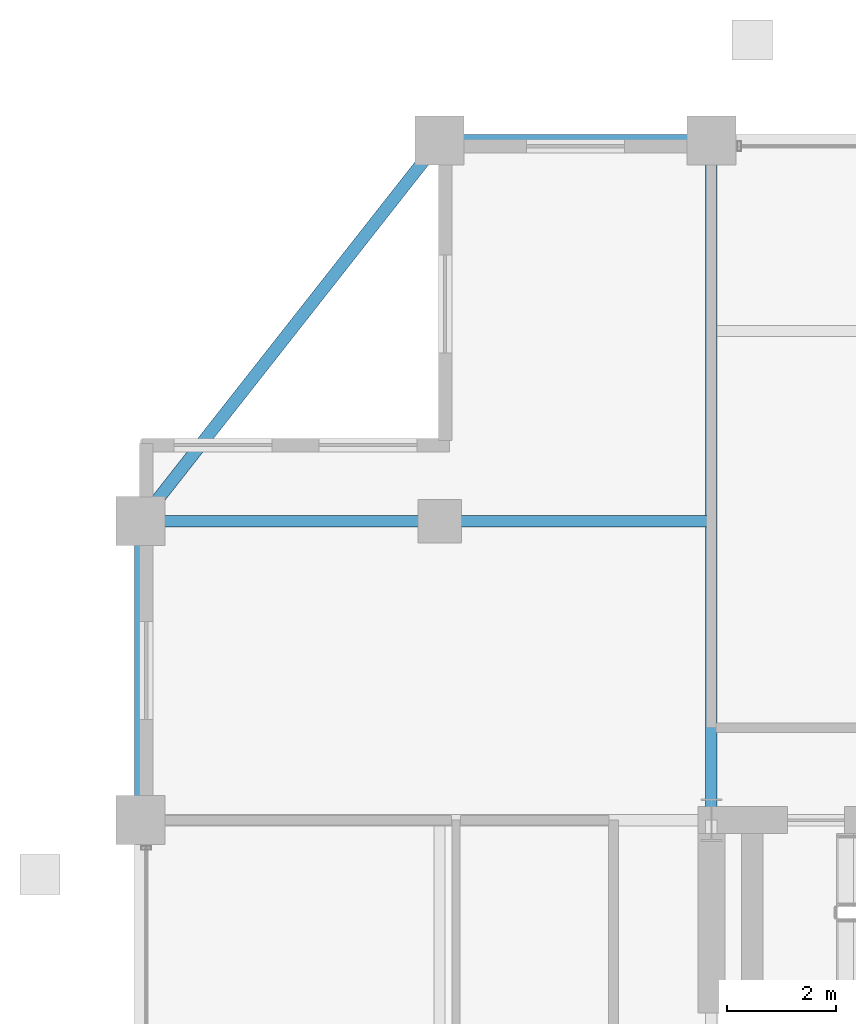
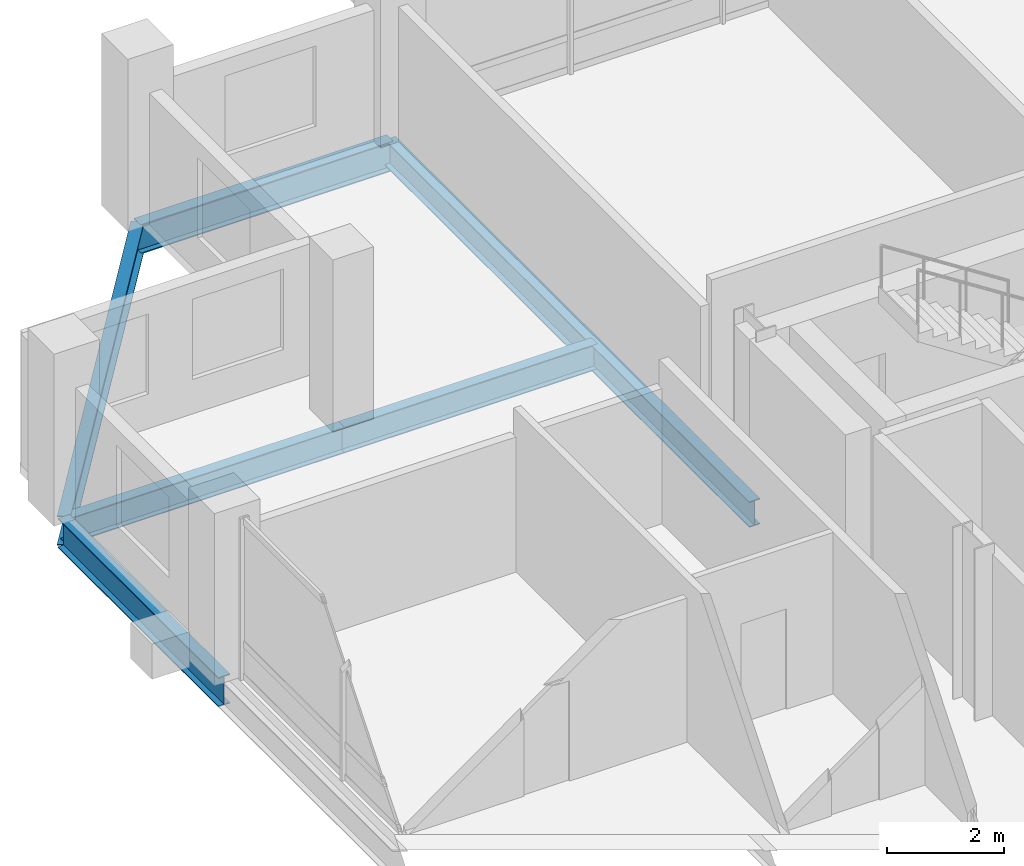
# One storey, part 11 of 21: 6 beams.
"""IFC4 building model written with IfcOpenShell, lengths in metres."""

from ifc_helpers import new_model, si_unit, direction, frame, origin, origin_2d, place, context, subcontext, project, spatial, i_section, extrude, material, material_profile, profile_set, type_object, element, save


model = new_model("IFC4")

# Units and contexts
model_context = context("Model", 3, precision=1e-05, world=origin(), true_north=direction((0.0, 1.0)))
body_context = subcontext(model_context, "Body", "Model", "MODEL_VIEW")
ifc_project = project(units=[si_unit("LENGTHUNIT", "METRE"), si_unit("AREAUNIT", "SQUARE_METRE"), si_unit("VOLUMEUNIT", "CUBIC_METRE"), si_unit("PLANEANGLEUNIT", "RADIAN"), si_unit("MASSUNIT", "GRAM", prefix="KILO")], contexts=[model_context])

# Site, building, storey
site_placement = place(None, origin())
site = spatial("IfcSite", under=ifc_project, at=site_placement, CompositionType="ELEMENT")
building_placement = place(site_placement, origin())
building = spatial("IfcBuilding", under=site, at=building_placement, Name="Barlavira Tower and Art Museum", CompositionType="ELEMENT")
storey_placement = place(building_placement, frame((0.0, 0.0, 297.89990234375)))
storey = spatial("IfcBuildingStorey", under=building, at=storey_placement, Name="L78", CompositionType="ELEMENT", Elevation=297.89990234375)

# Beams
ifc_material = material(Name="Steel S355", Category="steel")
ifc_material_profile_1 = material_profile(ifc_material, i_section(OverallWidth=0.22998046875, OverallDepth=0.616943359375, WebThickness=0.01318359375, FlangeThickness=0.022216796875, at=origin_2d()), Name="W610x140.0")
ifc_profile_set_1 = profile_set([ifc_material_profile_1], Name="Steel S355")
beam_type_1 = type_object("IfcBeamType", Name="Upper Shaft Spandrel Edge Beam W610x140 Steel S355", PredefinedType="SPANDREL", material=ifc_profile_set_1)
beam_1_placement = place(storey_placement, frame((-11.5, 20.0, -0.5283203125), z_axis=(1.0, 0.0, 0.0), x_axis=(0.0, 1.0, 0.0)))
element("IfcBeam", 1, at=beam_1_placement, inside=storey, type_object=beam_type_1, Name="L78 Spandrel 11", PredefinedType="SPANDREL", context=body_context, shape_type="SweptSolid", body=[
    extrude(i_section(OverallWidth=0.22998046875, OverallDepth=0.616943359375, WebThickness=0.01318359375, FlangeThickness=0.022216796875, at=origin_2d()), origin(), (0.0, 0.0, 1.0), 5.0),
])
beam_2_placement = place(storey_placement, frame((-11.5, 20.0, -0.5283203125), z_axis=(-0.617821551932, -0.786318338822, 0.0), x_axis=(0.786318338822, -0.617821551932, 0.0)))
element("IfcBeam", 2, at=beam_2_placement, inside=storey, type_object=beam_type_1, Name="L78 Spandrel 12", PredefinedType="SPANDREL", context=body_context, shape_type="SweptSolid", body=[
    extrude(i_section(OverallWidth=0.22998046875, OverallDepth=0.616943359375, WebThickness=0.01318359375, FlangeThickness=0.022216796875, at=origin_2d()), origin(), (0.0, 0.0, 1.0), 8.90234375),
])
beam_3_placement = place(storey_placement, frame((-17.0, 7.5, -0.5283203125), z_axis=(0.0, 1.0, 0.0), x_axis=(-1.0, 0.0, 0.0)))
element("IfcBeam", 3, at=beam_3_placement, inside=storey, type_object=beam_type_1, Name="L78 Spandrel 13", PredefinedType="SPANDREL", context=body_context, shape_type="SweptSolid", body=[
    extrude(i_section(OverallWidth=0.22998046875, OverallDepth=0.616943359375, WebThickness=0.01318359375, FlangeThickness=0.022216796875, at=origin_2d()), origin(), (0.0, 0.0, 1.0), 5.5),
])
ifc_material_profile_2 = material_profile(ifc_material, i_section(OverallWidth=0.2109375, OverallDepth=0.5390625, WebThickness=0.01171875, FlangeThickness=0.018798828125, at=origin_2d()), Name="W530x109.0")
ifc_profile_set_2 = profile_set([ifc_material_profile_2], Name="Steel S355")
beam_type_2 = type_object("IfcBeamType", Name="Zone 3-4 Primary Floor Girder W530x109 Steel S355", PredefinedType="BEAM", material=ifc_profile_set_2)
beam_4_placement = place(storey_placement, frame((-6.5, 7.5, -0.489501953125), z_axis=(0.0, 1.0, 0.0), x_axis=(-1.0, 0.0, 0.0)))
element("IfcBeam", 4, at=beam_4_placement, inside=storey, type_object=beam_type_2, Name="L78 Girder R-N1", PredefinedType="BEAM", context=body_context, shape_type="SweptSolid", body=[
    extrude(i_section(OverallWidth=0.2109375, OverallDepth=0.5390625, WebThickness=0.01171875, FlangeThickness=0.018798828125, at=origin_2d()), origin(), (0.0, 0.0, 1.0), 12.5),
])
beam_5_placement = place(storey_placement, frame((-17.0, 13.0, -0.489501953125), z_axis=(1.0, 0.0, 0.0), x_axis=(0.0, 1.0, 0.0)))
element("IfcBeam", 5, at=beam_5_placement, inside=storey, type_object=beam_type_2, Name="L78 Girder I-N1", PredefinedType="BEAM", context=body_context, shape_type="SweptSolid", body=[
    extrude(i_section(OverallWidth=0.2109375, OverallDepth=0.5390625, WebThickness=0.01171875, FlangeThickness=0.018798828125, at=origin_2d()), origin(), (0.0, 0.0, 1.0), 5.5),
])
beam_6_placement = place(storey_placement, frame((-11.5, 13.0, -0.489501953125), z_axis=(1.0, 0.0, 0.0), x_axis=(0.0, 1.0, 0.0)))
element("IfcBeam", 6, at=beam_6_placement, inside=storey, type_object=beam_type_2, Name="L78 Girder I-N2", PredefinedType="BEAM", context=body_context, shape_type="SweptSolid", body=[
    extrude(i_section(OverallWidth=0.2109375, OverallDepth=0.5390625, WebThickness=0.01171875, FlangeThickness=0.018798828125, at=origin_2d()), origin(), (0.0, 0.0, 1.0), 5.0),
])

save(model, "model.ifc")
